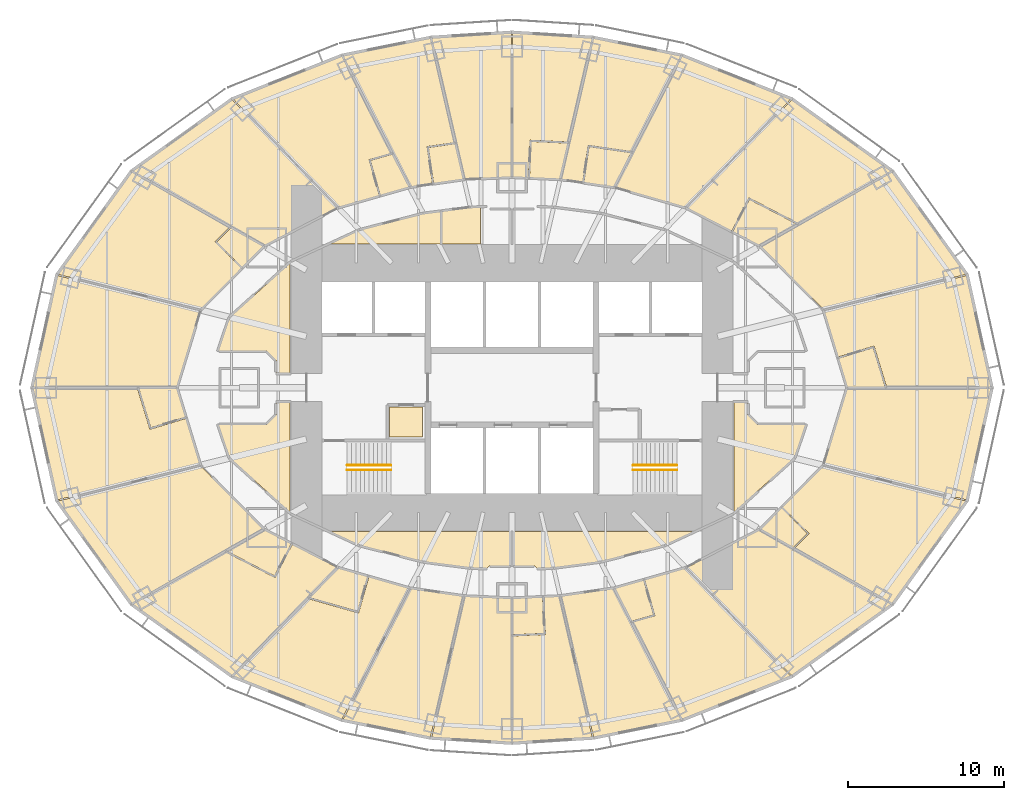
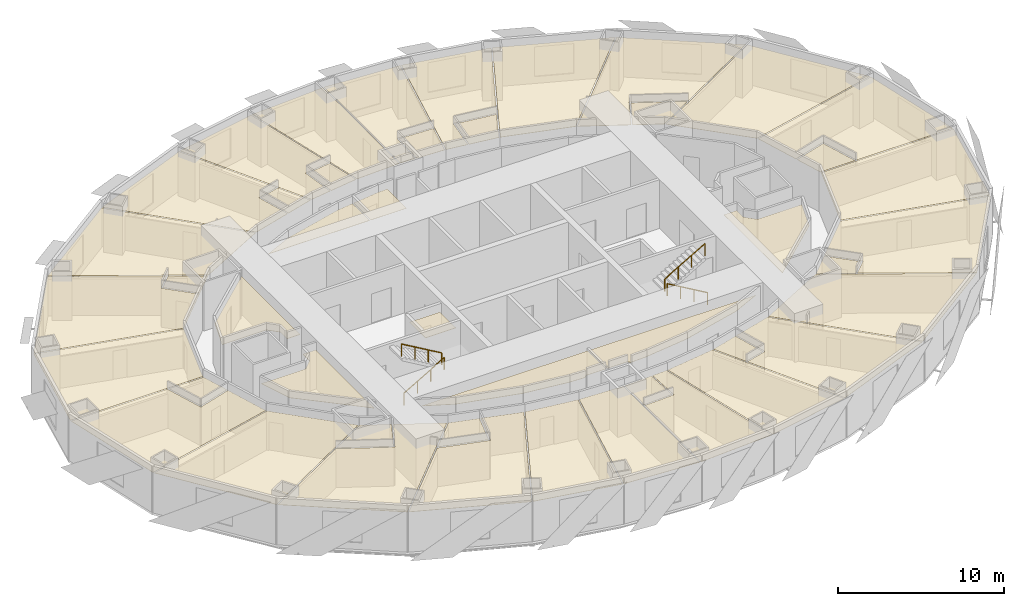
# One storey, part 15 of 15: 45 coverings, 4 railings.
"""IFC4 building model written with IfcOpenShell, lengths in metres."""

from ifc_helpers import new_model, si_unit, direction, frame, origin, origin_2d, place, context, subcontext, project, spatial, polyline, circle, outline, extrude, material, layer, layer_set, type_object, element, save


model = new_model("IFC4")

# Units and contexts
model_context = context("Model", 3, precision=1e-05, world=origin(), true_north=direction((0.0, 1.0)))
body_context = subcontext(model_context, "Body", "Model", "MODEL_VIEW")
ifc_project = project(units=[si_unit("LENGTHUNIT", "METRE"), si_unit("AREAUNIT", "SQUARE_METRE"), si_unit("VOLUMEUNIT", "CUBIC_METRE"), si_unit("PLANEANGLEUNIT", "RADIAN"), si_unit("MASSUNIT", "GRAM", prefix="KILO")], contexts=[model_context])

# Site, building, storey
site_placement = place(None, origin())
site = spatial("IfcSite", under=ifc_project, at=site_placement, CompositionType="ELEMENT")
building_placement = place(site_placement, origin())
building = spatial("IfcBuilding", under=site, at=building_placement, Name="Lantaw Convention Tower", CompositionType="ELEMENT")
storey_placement = place(building_placement, frame((0.0, 0.0, 51.39990234375)))
storey = spatial("IfcBuildingStorey", under=building, at=storey_placement, Name="L10", CompositionType="ELEMENT", Elevation=51.39990234375)

# Railings
ifc_material_1 = material(Name="Stainless steel", Category="steel")
railing_type = type_object("IfcRailingType", Name="Stair handrail", PredefinedType="HANDRAIL", material=ifc_material_1)
railing_1_placement = place(storey_placement, frame((-10.580078125, -5.280029296875, 0.163818359375)))
element("IfcRailing", 1, at=railing_1_placement, inside=storey, type_object=railing_type, Name="Stair handrail S1", PredefinedType="HANDRAIL", context=body_context, shape_type="SweptSolid", body=[
    extrude(circle(Radius=0.02392578125, at=origin_2d()), frame((0.0, 0.0, 0.8759765625), z_axis=(0.863393664356, 0.0, 0.504530851732), x_axis=(0.0, 1.0, 0.0)), (0.0, 0.0, 1.0), 3.2431640625),
    extrude(circle(Radius=0.02099609375, at=origin_2d()), origin(), (0.0, 0.0, 1.0), 0.851806640625),
    extrude(circle(Radius=0.02099609375, at=origin_2d()), frame((0.933349609375, 0.0, 0.54541015625)), (0.0, 0.0, 1.0), 0.851806640625),
    extrude(circle(Radius=0.02099609375, at=origin_2d()), frame((1.86669921875, 0.0, 1.0908203125)), (0.0, 0.0, 1.0), 0.851806640625),
    extrude(circle(Radius=0.02099609375, at=origin_2d()), frame((2.800048828125, 0.0, 1.63623046875)), (0.0, 0.0, 1.0), 0.851806640625),
])
railing_2_placement = place(storey_placement, frame((-7.780029296875, -4.97998046875, 1.963623046875)))
element("IfcRailing", 2, at=railing_2_placement, inside=storey, type_object=railing_type, Name="Stair handrail S1", PredefinedType="HANDRAIL", context=body_context, shape_type="SweptSolid", body=[
    extrude(circle(Radius=0.02392578125, at=origin_2d()), frame((0.0, 0.0, 0.8759765625), z_axis=(-0.863360870873, 0.0, 0.504586966384), x_axis=(0.0, -1.0, 0.0)), (0.0, 0.0, 1.0), 3.2431640625),
    extrude(circle(Radius=0.02099609375, at=origin_2d()), origin(), (0.0, 0.0, 1.0), 0.851806640625),
    extrude(circle(Radius=0.02099609375, at=origin_2d()), frame((-0.933349609375, 0.0, 0.54541015625)), (0.0, 0.0, 1.0), 0.851806640625),
    extrude(circle(Radius=0.02099609375, at=origin_2d()), frame((-1.86669921875, 0.0, 1.091064453125)), (0.0, 0.0, 1.0), 0.851806640625),
    extrude(circle(Radius=0.02099609375, at=origin_2d()), frame((-2.800048828125, 0.0, 1.636474609375)), (0.0, 0.0, 1.0), 0.851806640625),
])
railing_3_placement = place(storey_placement, frame((10.580078125, -5.280029296875, 0.163818359375)))
element("IfcRailing", 3, at=railing_3_placement, inside=storey, type_object=railing_type, Name="Stair handrail S2", PredefinedType="HANDRAIL", context=body_context, shape_type="SweptSolid", body=[
    extrude(circle(Radius=0.02392578125, at=origin_2d()), frame((0.0, 0.0, 0.8759765625), z_axis=(-0.863393664356, 0.0, 0.504530851732), x_axis=(0.0, -1.0, 0.0)), (0.0, 0.0, 1.0), 3.2431640625),
    extrude(circle(Radius=0.02099609375, at=origin_2d()), origin(), (0.0, 0.0, 1.0), 0.851806640625),
    extrude(circle(Radius=0.02099609375, at=origin_2d()), frame((-0.933349609375, 0.0, 0.54541015625)), (0.0, 0.0, 1.0), 0.851806640625),
    extrude(circle(Radius=0.02099609375, at=origin_2d()), frame((-1.86669921875, 0.0, 1.0908203125)), (0.0, 0.0, 1.0), 0.851806640625),
    extrude(circle(Radius=0.02099609375, at=origin_2d()), frame((-2.800048828125, 0.0, 1.63623046875)), (0.0, 0.0, 1.0), 0.851806640625),
])
railing_4_placement = place(storey_placement, frame((7.780029296875, -4.97998046875, 1.963623046875)))
element("IfcRailing", 4, at=railing_4_placement, inside=storey, type_object=railing_type, Name="Stair handrail S2", PredefinedType="HANDRAIL", context=body_context, shape_type="SweptSolid", body=[
    extrude(circle(Radius=0.02392578125, at=origin_2d()), frame((0.0, 0.0, 0.8759765625), z_axis=(0.863360870873, 0.0, 0.504586966384), x_axis=(0.0, 1.0, 0.0)), (0.0, 0.0, 1.0), 3.2431640625),
    extrude(circle(Radius=0.02099609375, at=origin_2d()), origin(), (0.0, 0.0, 1.0), 0.851806640625),
    extrude(circle(Radius=0.02099609375, at=origin_2d()), frame((0.933349609375, 0.0, 0.54541015625)), (0.0, 0.0, 1.0), 0.851806640625),
    extrude(circle(Radius=0.02099609375, at=origin_2d()), frame((1.86669921875, 0.0, 1.091064453125)), (0.0, 0.0, 1.0), 0.851806640625),
    extrude(circle(Radius=0.02099609375, at=origin_2d()), frame((2.800048828125, 0.0, 1.636474609375)), (0.0, 0.0, 1.0), 0.851806640625),
])

# Coverings
ifc_material_2 = material(Name="Gypsum board on steel suspension grid", Category="steel")
ifc_layer = layer(ifc_material_2, 0.02001953125)
ifc_layer_set = layer_set([ifc_layer], Name="Suspended ceiling")
covering_type = type_object("IfcCoveringType", Name="Suspended ceiling", PredefinedType="CEILING", material=ifc_layer_set)
covering_1_placement = place(storey_placement, frame((0.0, 0.0, 2.85009765625)))
element("IfcCovering", 5, at=covering_1_placement, inside=storey, type_object=covering_type, Name="Housekeeping pantry ceiling", PredefinedType="CEILING", context=body_context, shape_type="SweptSolid", body=[
    extrude(outline(polyline([(-7.860107421875, -3.159912109375), (-5.739990234375, -3.159912109375), (-5.739990234375, -1.239990234375), (-7.860107421875, -1.239990234375), (-7.860107421875, -3.159912109375)])), origin(), (0.0, 0.0, 1.0), 0.02001953125),
])
covering_2_placement = place(storey_placement, frame((0.0, 0.0, 2.85009765625)))
element("IfcCovering", 6, at=covering_2_placement, inside=storey, type_object=covering_type, Name="Housekeeping room ceiling", PredefinedType="CEILING", context=body_context, shape_type="SweptSolid", body=[
    extrude(outline(polyline([(-14.239990234375, 0.93994140625), (-14.239990234375, 8.0185546875), (-18.129638671875, 4.506103515625), (-18.855712890625, 2.364990234375), (-15.7587890625, 2.364990234375), (-15.135009765625, 1.7412109375), (-15.135009765625, 0.93994140625), (-14.239990234375, 0.93994140625)])), origin(), (0.0, 0.0, 1.0), 0.02001953125),
])
covering_3_placement = place(storey_placement, frame((0.0, 0.0, 2.85009765625)))
element("IfcCovering", 7, at=covering_3_placement, inside=storey, type_object=covering_type, Name="Accessible WC ceiling", PredefinedType="CEILING", context=body_context, shape_type="SweptSolid", body=[
    extrude(outline(polyline([(-2.014892578125, 11.578369140625), (-2.672607421875, 11.5517578125), (-4.510009765625, 11.313232421875), (-4.510009765625, 9.239990234375), (-2.014892578125, 9.239990234375), (-2.014892578125, 11.578369140625)])), origin(), (0.0, 0.0, 1.0), 0.02001953125),
])
covering_4_placement = place(storey_placement, frame((0.0, 0.0, 2.85009765625)))
element("IfcCovering", 8, at=covering_4_placement, inside=storey, type_object=covering_type, Name="Housekeeping room ceiling", PredefinedType="CEILING", context=body_context, shape_type="SweptSolid", body=[
    extrude(outline(polyline([(-11.66748046875, 9.239990234375), (-4.60009765625, 9.239990234375), (-4.60009765625, 11.301513671875), (-5.6982421875, 11.1591796875), (-9.78759765625, 10.111328125), (-11.66748046875, 9.239990234375)])), origin(), (0.0, 0.0, 1.0), 0.02001953125),
])
covering_5_placement = place(storey_placement, frame((0.0, 0.0, 2.85009765625)))
element("IfcCovering", 9, at=covering_5_placement, inside=storey, type_object=covering_type, Name="Staff room ceiling", PredefinedType="CEILING", context=body_context, shape_type="SweptSolid", body=[
    extrude(outline(polyline([(-14.239990234375, -8.0185546875), (-14.239990234375, -0.93994140625), (-15.135009765625, -0.93994140625), (-15.135009765625, -1.7412109375), (-15.7587890625, -2.364990234375), (-18.855712890625, -2.364990234375), (-18.129638671875, -4.506103515625), (-14.239990234375, -8.0185546875)])), origin(), (0.0, 0.0, 1.0), 0.02001953125),
])
covering_6_placement = place(storey_placement, frame((0.0, 0.0, 2.85009765625)))
element("IfcCovering", 10, at=covering_6_placement, inside=storey, type_object=covering_type, Name="Staff room ceiling", PredefinedType="CEILING", context=body_context, shape_type="SweptSolid", body=[
    extrude(outline(polyline([(-5.6982421875, -11.1591796875), (-2.672607421875, -11.5517578125), (-1.601318359375, -11.594970703125), (-1.441162109375, -11.43505859375), (-0.0400390625, -11.43505859375), (-0.0400390625, -9.239990234375), (-11.66748046875, -9.239990234375), (-9.78759765625, -10.111328125), (-5.6982421875, -11.1591796875)])), origin(), (0.0, 0.0, 1.0), 0.02001953125),
])
covering_7_placement = place(storey_placement, frame((0.0, 0.0, 2.85009765625)))
element("IfcCovering", 11, at=covering_7_placement, inside=storey, type_object=covering_type, Name="Room service pantry ceiling", PredefinedType="CEILING", context=body_context, shape_type="SweptSolid", body=[
    extrude(outline(polyline([(14.239990234375, -0.93994140625), (14.239990234375, -8.0185546875), (18.129638671875, -4.506103515625), (18.855712890625, -2.364990234375), (15.7587890625, -2.364990234375), (15.135009765625, -1.7412109375), (15.135009765625, -0.93994140625), (14.239990234375, -0.93994140625)])), origin(), (0.0, 0.0, 1.0), 0.02001953125),
])
covering_8_placement = place(storey_placement, frame((0.0, 0.0, 2.85009765625)))
element("IfcCovering", 12, at=covering_8_placement, inside=storey, type_object=covering_type, Name="Room service pantry ceiling", PredefinedType="CEILING", context=body_context, shape_type="SweptSolid", body=[
    extrude(outline(polyline([(1.601318359375, -11.594970703125), (2.672607421875, -11.5517578125), (5.6982421875, -11.1591796875), (9.78759765625, -10.111328125), (11.66748046875, -9.239990234375), (0.0400390625, -9.239990234375), (0.0400390625, -11.43505859375), (1.441162109375, -11.43505859375), (1.601318359375, -11.594970703125)])), origin(), (0.0, 0.0, 1.0), 0.02001953125),
])
covering_9_placement = place(storey_placement, frame((0.0, 0.0, 2.85009765625)))
element("IfcCovering", 13, at=covering_9_placement, inside=storey, type_object=covering_type, Name="Suite bathroom ceiling", PredefinedType="CEILING", context=body_context, shape_type="SweptSolid", body=[
    extrude(outline(polyline([(21.529541015625, 0.0400390625), (23.954833984375, 0.0400390625), (23.1865234375, 2.562744140625), (20.967041015625, 1.886474609375), (21.529541015625, 0.0400390625)])), origin(), (0.0, 0.0, 1.0), 0.02001953125),
])
covering_10_placement = place(storey_placement, frame((0.0, 0.0, 2.85009765625)))
element("IfcCovering", 14, at=covering_10_placement, inside=storey, type_object=covering_type, Name="Suite bedroom ceiling", PredefinedType="CEILING", context=body_context, shape_type="SweptSolid", body=[
    extrude(outline(polyline([(29.191650390625, 7.205078125), (20.032958984375, 4.953369140625), (20.940185546875, 1.974609375), (23.24755859375, 2.677490234375), (24.051025390625, 0.0400390625), (30.77099609375, 0.0400390625), (29.191650390625, 7.205078125)])), origin(), (0.0, 0.0, 1.0), 0.02001953125),
])
covering_11_placement = place(storey_placement, frame((0.0, 0.0, 2.85009765625)))
element("IfcCovering", 15, at=covering_11_placement, inside=storey, type_object=covering_type, Name="Suite living room ceiling", PredefinedType="CEILING", context=body_context, shape_type="SweptSolid", body=[
    extrude(outline(polyline([(19.99462890625, 5.0263671875), (29.155029296875, 7.2783203125), (24.423095703125, 13.856201171875), (15.966552734375, 9.077392578125), (19.99462890625, 5.0263671875)])), origin(), (0.0, 0.0, 1.0), 0.02001953125),
])
covering_12_placement = place(storey_placement, frame((0.0, 0.0, 2.85009765625)))
element("IfcCovering", 16, at=covering_12_placement, inside=storey, type_object=covering_type, Name="Suite bathroom ceiling", PredefinedType="CEILING", context=body_context, shape_type="SweptSolid", body=[
    extrude(outline(polyline([(15.900146484375, 9.1318359375), (18.2998046875, 10.503173828125), (15.24365234375, 12.082763671875), (14.17822265625, 10.02197265625), (15.900146484375, 9.1318359375)])), origin(), (0.0, 0.0, 1.0), 0.02001953125),
])
covering_13_placement = place(storey_placement, frame((0.0, 0.0, 2.85009765625)))
element("IfcCovering", 17, at=covering_13_placement, inside=storey, type_object=covering_type, Name="Suite bedroom ceiling", PredefinedType="CEILING", context=body_context, shape_type="SweptSolid", body=[
    extrude(outline(polyline([(11.2138671875, 11.554443359375), (14.107177734375, 10.05859375), (15.20947265625, 12.190673828125), (18.39697265625, 10.542724609375), (24.3603515625, 13.912841796875), (17.97509765625, 18.4892578125), (11.2138671875, 11.554443359375)])), origin(), (0.0, 0.0, 1.0), 0.02001953125),
])
covering_14_placement = place(storey_placement, frame((0.0, 0.0, 2.85009765625)))
element("IfcCovering", 18, at=covering_14_placement, inside=storey, type_object=covering_type, Name="Suite living room ceiling", PredefinedType="CEILING", context=body_context, shape_type="SweptSolid", body=[
    extrude(outline(polyline([(11.135498046875, 11.588623046875), (17.89990234375, 18.526611328125), (10.930908203125, 21.294921875), (6.609375, 12.883056640625), (11.135498046875, 11.588623046875)])), origin(), (0.0, 0.0, 1.0), 0.02001953125),
])
covering_15_placement = place(storey_placement, frame((0.0, 0.0, 2.85009765625)))
element("IfcCovering", 19, at=covering_15_placement, inside=storey, type_object=covering_type, Name="Guest bathroom ceiling", PredefinedType="CEILING", context=body_context, shape_type="SweptSolid", body=[
    extrude(outline(polyline([(6.52880859375, 12.901611328125), (7.64111328125, 15.084716796875), (4.9501953125, 15.474609375), (4.617431640625, 13.1787109375), (6.52880859375, 12.901611328125)])), origin(), (0.0, 0.0, 1.0), 0.02001953125),
])
covering_16_placement = place(storey_placement, frame((0.0, 0.0, 2.85009765625)))
element("IfcCovering", 20, at=covering_16_placement, inside=storey, type_object=covering_type, Name="Guest room ceiling", PredefinedType="CEILING", context=body_context, shape_type="SweptSolid", body=[
    extrude(outline(polyline([(3.13330078125, 13.393798828125), (4.538330078125, 13.190185546875), (4.882568359375, 15.565185546875), (7.6884765625, 15.15869140625), (10.852294921875, 21.31689453125), (5.240966796875, 22.448974609375), (3.13330078125, 13.393798828125)])), origin(), (0.0, 0.0, 1.0), 0.02001953125),
])
covering_17_placement = place(storey_placement, frame((0.0, 0.0, 2.85009765625)))
element("IfcCovering", 21, at=covering_17_placement, inside=storey, type_object=covering_type, Name="Suite bathroom ceiling", PredefinedType="CEILING", context=body_context, shape_type="SweptSolid", body=[
    extrude(outline(polyline([(3.052978515625, 13.40185546875), (3.58349609375, 15.7001953125), (1.233154296875, 15.806640625), (1.128173828125, 13.489013671875), (3.052978515625, 13.40185546875)])), origin(), (0.0, 0.0, 1.0), 0.02001953125),
])
covering_18_placement = place(storey_placement, frame((0.0, 0.0, 2.85009765625)))
element("IfcCovering", 22, at=covering_18_placement, inside=storey, type_object=covering_type, Name="Suite bedroom ceiling", PredefinedType="CEILING", context=body_context, shape_type="SweptSolid", body=[
    extrude(outline(polyline([(0.0400390625, 13.538330078125), (1.04833984375, 13.49267578125), (1.156982421875, 15.89013671875), (3.6064453125, 15.779296875), (5.1611328125, 22.458984375), (0.0400390625, 22.781982421875), (0.0400390625, 13.538330078125)])), origin(), (0.0, 0.0, 1.0), 0.02001953125),
])
covering_19_placement = place(storey_placement, frame((0.0, 0.0, 2.85009765625)))
element("IfcCovering", 23, at=covering_19_placement, inside=storey, type_object=covering_type, Name="Suite living room ceiling", PredefinedType="CEILING", context=body_context, shape_type="SweptSolid", body=[
    extrude(outline(polyline([(-0.0400390625, 13.538330078125), (-0.0400390625, 22.781982421875), (-5.1611328125, 22.458984375), (-3.052978515625, 13.40185546875), (-0.0400390625, 13.538330078125)])), origin(), (0.0, 0.0, 1.0), 0.02001953125),
])
covering_20_placement = place(storey_placement, frame((0.0, 0.0, 2.85009765625)))
element("IfcCovering", 24, at=covering_20_placement, inside=storey, type_object=covering_type, Name="Guest bathroom ceiling", PredefinedType="CEILING", context=body_context, shape_type="SweptSolid", body=[
    extrude(outline(polyline([(-3.13330078125, 13.393798828125), (-3.656982421875, 15.662109375), (-5.362548828125, 15.414794921875), (-5.030029296875, 13.118896484375), (-3.13330078125, 13.393798828125)])), origin(), (0.0, 0.0, 1.0), 0.02001953125),
])
covering_21_placement = place(storey_placement, frame((0.0, 0.0, 2.85009765625)))
element("IfcCovering", 25, at=covering_21_placement, inside=storey, type_object=covering_type, Name="Guest room ceiling", PredefinedType="CEILING", context=body_context, shape_type="SweptSolid", body=[
    extrude(outline(polyline([(-6.529052734375, 12.901611328125), (-5.109130859375, 13.107421875), (-5.453369140625, 15.482666015625), (-3.679443359375, 15.73974609375), (-5.240966796875, 22.448974609375), (-10.852294921875, 21.31689453125), (-6.529052734375, 12.901611328125)])), origin(), (0.0, 0.0, 1.0), 0.02001953125),
])
covering_22_placement = place(storey_placement, frame((0.0, 0.0, 2.85009765625)))
element("IfcCovering", 26, at=covering_22_placement, inside=storey, type_object=covering_type, Name="Suite bathroom ceiling", PredefinedType="CEILING", context=body_context, shape_type="SweptSolid", body=[
    extrude(outline(polyline([(-6.609130859375, 12.883056640625), (-7.682373046875, 14.9892578125), (-9.084716796875, 14.588134765625), (-8.447021484375, 12.357421875), (-6.609130859375, 12.883056640625)])), origin(), (0.0, 0.0, 1.0), 0.02001953125),
])
covering_23_placement = place(storey_placement, frame((0.0, 0.0, 2.85009765625)))
element("IfcCovering", 27, at=covering_23_placement, inside=storey, type_object=covering_type, Name="Suite bedroom ceiling", PredefinedType="CEILING", context=body_context, shape_type="SweptSolid", body=[
    extrude(outline(polyline([(-11.135498046875, 11.588623046875), (-8.52392578125, 12.33544921875), (-9.18359375, 14.64306640625), (-7.7275390625, 15.0595703125), (-10.930908203125, 21.294921875), (-17.89990234375, 18.526611328125), (-11.135498046875, 11.588623046875)])), origin(), (0.0, 0.0, 1.0), 0.02001953125),
])
covering_24_placement = place(storey_placement, frame((0.0, 0.0, 2.85009765625)))
element("IfcCovering", 28, at=covering_24_placement, inside=storey, type_object=covering_type, Name="Suite living room ceiling", PredefinedType="CEILING", context=body_context, shape_type="SweptSolid", body=[
    extrude(outline(polyline([(-11.2138671875, 11.554443359375), (-17.97509765625, 18.4892578125), (-24.3603515625, 13.912841796875), (-15.900146484375, 9.1318359375), (-11.2138671875, 11.554443359375)])), origin(), (0.0, 0.0, 1.0), 0.02001953125),
])
covering_25_placement = place(storey_placement, frame((0.0, 0.0, 2.85009765625)))
element("IfcCovering", 29, at=covering_25_placement, inside=storey, type_object=covering_type, Name="Suite bathroom ceiling", PredefinedType="CEILING", context=body_context, shape_type="SweptSolid", body=[
    extrude(outline(polyline([(-15.96630859375, 9.07763671875), (-18.052490234375, 10.269775390625), (-18.95654296875, 9.360595703125), (-17.3115234375, 7.724853515625), (-15.96630859375, 9.07763671875)])), origin(), (0.0, 0.0, 1.0), 0.02001953125),
])
covering_26_placement = place(storey_placement, frame((0.0, 0.0, 2.85009765625)))
element("IfcCovering", 30, at=covering_26_placement, inside=storey, type_object=covering_type, Name="Suite bedroom ceiling", PredefinedType="CEILING", context=body_context, shape_type="SweptSolid", body=[
    extrude(outline(polyline([(-19.99462890625, 5.0263671875), (-17.367919921875, 7.66796875), (-19.06982421875, 9.3603515625), (-18.13330078125, 10.302001953125), (-24.423095703125, 13.856201171875), (-29.155029296875, 7.2783203125), (-19.99462890625, 5.0263671875)])), origin(), (0.0, 0.0, 1.0), 0.02001953125),
])
covering_27_placement = place(storey_placement, frame((0.0, 0.0, 2.85009765625)))
element("IfcCovering", 31, at=covering_27_placement, inside=storey, type_object=covering_type, Name="Suite living room ceiling", PredefinedType="CEILING", context=body_context, shape_type="SweptSolid", body=[
    extrude(outline(polyline([(-20.032958984375, 4.953369140625), (-29.191650390625, 7.205078125), (-30.77099609375, 0.0400390625), (-21.529541015625, 0.0400390625), (-20.032958984375, 4.953369140625)])), origin(), (0.0, 0.0, 1.0), 0.02001953125),
])
covering_28_placement = place(storey_placement, frame((0.0, 0.0, 2.85009765625)))
element("IfcCovering", 32, at=covering_28_placement, inside=storey, type_object=covering_type, Name="Suite bathroom ceiling", PredefinedType="CEILING", context=body_context, shape_type="SweptSolid", body=[
    extrude(outline(polyline([(-21.529541015625, -0.0400390625), (-23.954833984375, -0.0400390625), (-23.1865234375, -2.562744140625), (-20.967041015625, -1.886474609375), (-21.529541015625, -0.0400390625)])), origin(), (0.0, 0.0, 1.0), 0.02001953125),
])
covering_29_placement = place(storey_placement, frame((0.0, 0.0, 2.85009765625)))
element("IfcCovering", 33, at=covering_29_placement, inside=storey, type_object=covering_type, Name="Suite bedroom ceiling", PredefinedType="CEILING", context=body_context, shape_type="SweptSolid", body=[
    extrude(outline(polyline([(-20.032958984375, -4.953369140625), (-20.940185546875, -1.974609375), (-23.24755859375, -2.677490234375), (-24.051025390625, -0.0400390625), (-30.77099609375, -0.0400390625), (-29.191650390625, -7.205078125), (-20.032958984375, -4.953369140625)])), origin(), (0.0, 0.0, 1.0), 0.02001953125),
])
covering_30_placement = place(storey_placement, frame((0.0, 0.0, 2.85009765625)))
element("IfcCovering", 34, at=covering_30_placement, inside=storey, type_object=covering_type, Name="Suite living room ceiling", PredefinedType="CEILING", context=body_context, shape_type="SweptSolid", body=[
    extrude(outline(polyline([(-19.99462890625, -5.0263671875), (-29.155029296875, -7.2783203125), (-24.423095703125, -13.856201171875), (-15.966552734375, -9.077392578125), (-19.99462890625, -5.0263671875)])), origin(), (0.0, 0.0, 1.0), 0.02001953125),
])
covering_31_placement = place(storey_placement, frame((0.0, 0.0, 2.85009765625)))
element("IfcCovering", 35, at=covering_31_placement, inside=storey, type_object=covering_type, Name="Guest bathroom ceiling", PredefinedType="CEILING", context=body_context, shape_type="SweptSolid", body=[
    extrude(outline(polyline([(-15.900146484375, -9.1318359375), (-18.2998046875, -10.503173828125), (-15.24365234375, -12.082763671875), (-14.17822265625, -10.02197265625), (-15.900146484375, -9.1318359375)])), origin(), (0.0, 0.0, 1.0), 0.02001953125),
])
covering_32_placement = place(storey_placement, frame((0.0, 0.0, 2.85009765625)))
element("IfcCovering", 36, at=covering_32_placement, inside=storey, type_object=covering_type, Name="Guest room ceiling", PredefinedType="CEILING", context=body_context, shape_type="SweptSolid", body=[
    extrude(outline(polyline([(-18.39697265625, -10.542724609375), (-24.3603515625, -13.912841796875), (-17.97509765625, -18.4892578125), (-11.2138671875, -11.554443359375), (-14.107177734375, -10.05859375), (-15.20947265625, -12.190673828125), (-18.39697265625, -10.542724609375)])), origin(), (0.0, 0.0, 1.0), 0.02001953125),
])
covering_33_placement = place(storey_placement, frame((0.0, 0.0, 2.85009765625)))
element("IfcCovering", 37, at=covering_33_placement, inside=storey, type_object=covering_type, Name="Suite bathroom ceiling", PredefinedType="CEILING", context=body_context, shape_type="SweptSolid", body=[
    extrude(outline(polyline([(-11.135498046875, -11.588623046875), (-12.96142578125, -13.4794921875), (-9.911865234375, -14.3515625), (-9.274169921875, -12.12109375), (-11.135498046875, -11.588623046875)])), origin(), (0.0, 0.0, 1.0), 0.02001953125),
])
covering_34_placement = place(storey_placement, frame((0.0, 0.0, 2.85009765625)))
element("IfcCovering", 38, at=covering_34_placement, inside=storey, type_object=covering_type, Name="Suite bedroom ceiling", PredefinedType="CEILING", context=body_context, shape_type="SweptSolid", body=[
    extrude(outline(polyline([(-13.048095703125, -13.55029296875), (-17.89990234375, -18.526611328125), (-10.930908203125, -21.294921875), (-6.609375, -12.883056640625), (-9.185546875, -12.146240234375), (-9.848876953125, -14.46533203125), (-13.048095703125, -13.55029296875)])), origin(), (0.0, 0.0, 1.0), 0.02001953125),
])
covering_35_placement = place(storey_placement, frame((0.0, 0.0, 2.85009765625)))
element("IfcCovering", 39, at=covering_35_placement, inside=storey, type_object=covering_type, Name="Suite living room ceiling", PredefinedType="CEILING", context=body_context, shape_type="SweptSolid", body=[
    extrude(outline(polyline([(-6.529052734375, -12.901611328125), (-10.852294921875, -21.31689453125), (-5.240966796875, -22.448974609375), (-3.13330078125, -13.393798828125), (-6.529052734375, -12.901611328125)])), origin(), (0.0, 0.0, 1.0), 0.02001953125),
])
covering_36_placement = place(storey_placement, frame((0.0, 0.0, 2.85009765625)))
element("IfcCovering", 40, at=covering_36_placement, inside=storey, type_object=covering_type, Name="Suite kitchenette and dining room ceiling", PredefinedType="CEILING", context=body_context, shape_type="SweptSolid", body=[
    extrude(outline(polyline([(-3.052978515625, -13.40185546875), (-5.1611328125, -22.458984375), (-0.0400390625, -22.781982421875), (-0.0400390625, -13.538330078125), (-3.052978515625, -13.40185546875)])), origin(), (0.0, 0.0, 1.0), 0.02001953125),
])
covering_37_placement = place(storey_placement, frame((0.0, 0.0, 2.85009765625)))
element("IfcCovering", 41, at=covering_37_placement, inside=storey, type_object=covering_type, Name="Suite bathroom ceiling", PredefinedType="CEILING", context=body_context, shape_type="SweptSolid", body=[
    extrude(outline(polyline([(0.0400390625, -13.538330078125), (0.0400390625, -15.860595703125), (2.064697265625, -15.76904296875), (1.959716796875, -13.451416015625), (0.0400390625, -13.538330078125)])), origin(), (0.0, 0.0, 1.0), 0.02001953125),
])
covering_38_placement = place(storey_placement, frame((0.0, 0.0, 2.85009765625)))
element("IfcCovering", 42, at=covering_38_placement, inside=storey, type_object=covering_type, Name="Suite bedroom ceiling", PredefinedType="CEILING", context=body_context, shape_type="SweptSolid", body=[
    extrude(outline(polyline([(2.039794921875, -13.44775390625), (2.148193359375, -15.84521484375), (0.0400390625, -15.940673828125), (0.0400390625, -22.781982421875), (5.1611328125, -22.458984375), (3.052978515625, -13.40185546875), (2.039794921875, -13.44775390625)])), origin(), (0.0, 0.0, 1.0), 0.02001953125),
])
covering_39_placement = place(storey_placement, frame((0.0, 0.0, 2.85009765625)))
element("IfcCovering", 43, at=covering_39_placement, inside=storey, type_object=covering_type, Name="Suite living room ceiling", PredefinedType="CEILING", context=body_context, shape_type="SweptSolid", body=[
    extrude(outline(polyline([(3.13330078125, -13.393798828125), (5.240966796875, -22.448974609375), (10.852294921875, -21.31689453125), (6.529052734375, -12.901611328125), (3.13330078125, -13.393798828125)])), origin(), (0.0, 0.0, 1.0), 0.02001953125),
])
covering_40_placement = place(storey_placement, frame((0.0, 0.0, 2.85009765625)))
element("IfcCovering", 44, at=covering_40_placement, inside=storey, type_object=covering_type, Name="Suite bathroom ceiling", PredefinedType="CEILING", context=body_context, shape_type="SweptSolid", body=[
    extrude(outline(polyline([(6.609130859375, -12.883056640625), (7.682373046875, -14.9892578125), (9.084716796875, -14.588134765625), (8.447021484375, -12.357421875), (6.609130859375, -12.883056640625)])), origin(), (0.0, 0.0, 1.0), 0.02001953125),
])
covering_41_placement = place(storey_placement, frame((0.0, 0.0, 2.85009765625)))
element("IfcCovering", 45, at=covering_41_placement, inside=storey, type_object=covering_type, Name="Suite bedroom ceiling", PredefinedType="CEILING", context=body_context, shape_type="SweptSolid", body=[
    extrude(outline(polyline([(11.135498046875, -11.588623046875), (8.52392578125, -12.33544921875), (9.18359375, -14.64306640625), (7.7275390625, -15.0595703125), (10.930908203125, -21.294921875), (17.89990234375, -18.526611328125), (11.135498046875, -11.588623046875)])), origin(), (0.0, 0.0, 1.0), 0.02001953125),
])
covering_42_placement = place(storey_placement, frame((0.0, 0.0, 2.85009765625)))
element("IfcCovering", 46, at=covering_42_placement, inside=storey, type_object=covering_type, Name="Suite living room ceiling", PredefinedType="CEILING", context=body_context, shape_type="SweptSolid", body=[
    extrude(outline(polyline([(11.2138671875, -11.554443359375), (17.97509765625, -18.4892578125), (24.3603515625, -13.912841796875), (15.900146484375, -9.1318359375), (11.2138671875, -11.554443359375)])), origin(), (0.0, 0.0, 1.0), 0.02001953125),
])
covering_43_placement = place(storey_placement, frame((0.0, 0.0, 2.85009765625)))
element("IfcCovering", 47, at=covering_43_placement, inside=storey, type_object=covering_type, Name="Suite bathroom ceiling", PredefinedType="CEILING", context=body_context, shape_type="SweptSolid", body=[
    extrude(outline(polyline([(15.96630859375, -9.07763671875), (18.052490234375, -10.269775390625), (18.95654296875, -9.360595703125), (17.3115234375, -7.724853515625), (15.96630859375, -9.07763671875)])), origin(), (0.0, 0.0, 1.0), 0.02001953125),
])
covering_44_placement = place(storey_placement, frame((0.0, 0.0, 2.85009765625)))
element("IfcCovering", 48, at=covering_44_placement, inside=storey, type_object=covering_type, Name="Suite bedroom ceiling", PredefinedType="CEILING", context=body_context, shape_type="SweptSolid", body=[
    extrude(outline(polyline([(17.367919921875, -7.66796875), (19.06982421875, -9.3603515625), (18.13330078125, -10.302001953125), (24.423095703125, -13.856201171875), (29.155029296875, -7.2783203125), (19.99462890625, -5.0263671875), (17.367919921875, -7.66796875)])), origin(), (0.0, 0.0, 1.0), 0.02001953125),
])
covering_45_placement = place(storey_placement, frame((0.0, 0.0, 2.85009765625)))
element("IfcCovering", 49, at=covering_45_placement, inside=storey, type_object=covering_type, Name="Suite living room ceiling", PredefinedType="CEILING", context=body_context, shape_type="SweptSolid", body=[
    extrude(outline(polyline([(20.032958984375, -4.953369140625), (29.191650390625, -7.205078125), (30.77099609375, -0.0400390625), (21.529541015625, -0.0400390625), (20.032958984375, -4.953369140625)])), origin(), (0.0, 0.0, 1.0), 0.02001953125),
])

save(model, "model.ifc")
